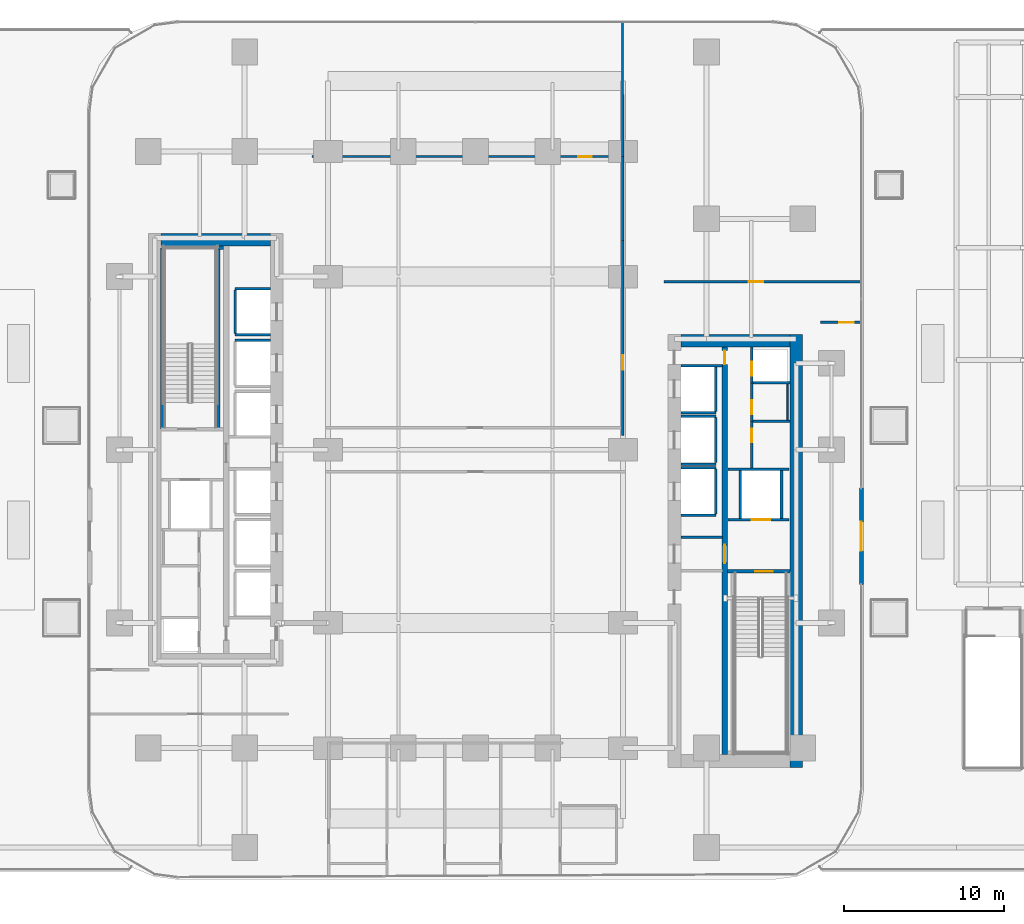
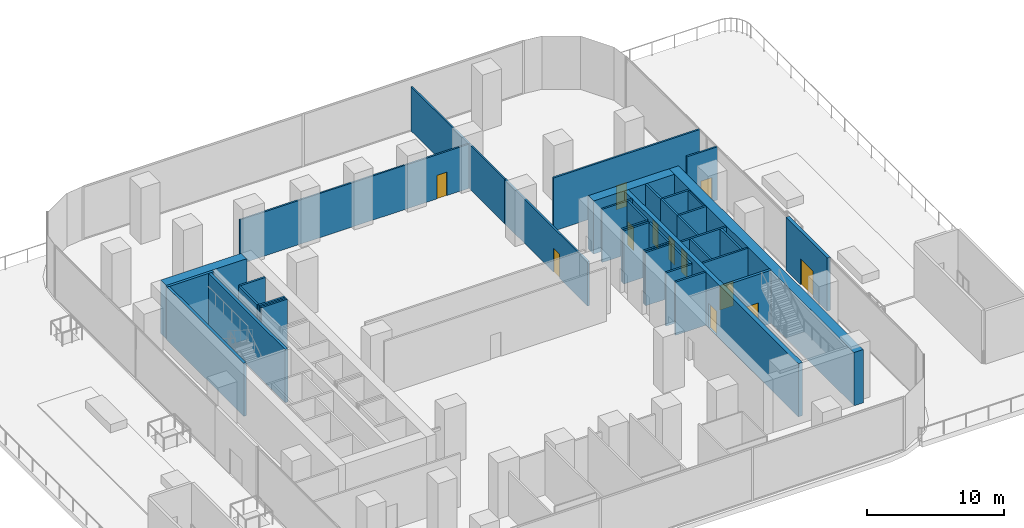
# One storey, part 8 of 21: 39 walls, 12 doors, 12 openings.
"""IFC4 building model written with IfcOpenShell, lengths in metres."""

from ifc_helpers import new_model, si_unit, direction, frame, frame_2d, origin, place, context, subcontext, project, spatial, rectangle, extrude, material, layer, layer_set, type_object, element, fill, save


model = new_model("IFC4")

# Units and contexts
model_context = context("Model", 3, precision=1e-05, world=origin(), true_north=direction((0.0, 1.0)))
body_context = subcontext(model_context, "Body", "Model", "MODEL_VIEW")
ifc_project = project(units=[si_unit("LENGTHUNIT", "METRE"), si_unit("AREAUNIT", "SQUARE_METRE"), si_unit("VOLUMEUNIT", "CUBIC_METRE"), si_unit("PLANEANGLEUNIT", "RADIAN"), si_unit("MASSUNIT", "GRAM", prefix="KILO")], contexts=[model_context])

# Site, building, storey
site_placement = place(None, origin())
site = spatial("IfcSite", under=ifc_project, at=site_placement, CompositionType="ELEMENT")
building_placement = place(site_placement, origin())
building = spatial("IfcBuilding", under=site, at=building_placement, Name="Khairoan Windgate Tower", CompositionType="ELEMENT")
storey_placement = place(building_placement, frame((0.0, 0.0, 21.0)))
storey = spatial("IfcBuildingStorey", under=building, at=storey_placement, Name="L05", CompositionType="ELEMENT", Elevation=21.0)

# Walls
ifc_material_1 = material(Name="Moisture-Resistant Gypsum Partition", Category="gypsum")
ifc_layer_1 = layer(ifc_material_1, 0.10009765625, Name="Moisture-Resistant Gypsum Partition")
ifc_layer_set_1 = layer_set([ifc_layer_1], Name="Moisture-Resistant Gypsum Partition")
wall_type_1 = type_object("IfcWallType", Name="Bathroom Wet-Area Partition Wall", PredefinedType="PARTITIONING", material=ifc_layer_set_1)
wall_1_placement = place(storey_placement, frame((19.449951171875, 4.090087890625, 0.0), z_axis=(0.0, 0.0, 1.0), x_axis=(0.0, -1.0, 0.0)))
element("IfcWall", 1, at=wall_1_placement, inside=storey, type_object=wall_type_1, Name="L05 Wet Room Side Wall 031", PredefinedType="PARTITIONING", context=body_context, shape_type="SweptSolid", body=[
    extrude(rectangle(XDim=2.239990234375, YDim=0.10009765625, at=frame_2d((1.1201171875, 0.0))), origin(), (0.0, 0.0, 1.0), 4.739990234375),
])
ifc_material_2 = material(Name="Concrete C40/50", Category="concrete")
ifc_layer_2 = layer(ifc_material_2, 0.159912109375, Name="Concrete C40/50")
ifc_layer_set_2 = layer_set([ifc_layer_2], Name="Concrete C40/50")
wall_type_2 = type_object("IfcWallType", Name="Core and Hoistway Enclosure Wall", PredefinedType="STANDARD", material=ifc_layer_set_2)
for number, where, z_axis, x_axis, name in (
    (2, (-14.989990234375, 7.159912109375, 0.0), (0.0, 0.0, 1.0), (1.0, 0.0, 0.0), "L05 Lift PL1 Hoistway Divider S"),
    (3, (-14.989990234375, 10.0400390625, 0.0), (0.0, 0.0, 1.0), (1.0, 0.0, 0.0), "L05 Lift PL1 Hoistway Divider N"),
):
    element("IfcWall", number, at=place(storey_placement, frame(where, z_axis=z_axis, x_axis=x_axis)), inside=storey, type_object=wall_type_2, Name=name, PredefinedType="STANDARD", context=body_context, shape_type="SweptSolid", body=[
        extrude(rectangle(XDim=2.18994140625, YDim=0.159912109375, at=frame_2d((1.094970703125, 0.0))), origin(), (0.0, 0.0, 1.0), 4.739990234375),
    ])
wall_2_placement = place(storey_placement, frame((-14.989990234375, 7.25, 0.0), z_axis=(0.0, 0.0, 1.0), x_axis=(0.0, 1.0, 0.0)))
element("IfcWall", 4, at=wall_2_placement, inside=storey, type_object=wall_type_2, Name="L05 Lift PL1 Hoistway Back Wall", PredefinedType="STANDARD", context=body_context, shape_type="SweptSolid", body=[
    extrude(rectangle(XDim=2.699951171875, YDim=0.159912109375, at=frame_2d((1.35009765625, 0.0))), origin(), (0.0, 0.0, 1.0), 4.739990234375),
])
for number, where, z_axis, x_axis, name in (
    (5, (-14.989990234375, 6.840087890625, 0.0), (0.0, 0.0, 1.0), (1.0, 0.0, 0.0), "L05 Lift PL2 Hoistway Divider N"),
    (6, (12.800048828125, 2.31005859375, 0.0), (0.0, 0.0, 1.0), (1.0, 0.0, 0.0), "L05 Lift PL7 Hoistway Divider S"),
):
    element("IfcWall", number, at=place(storey_placement, frame(where, z_axis=z_axis, x_axis=x_axis)), inside=storey, type_object=wall_type_2, Name=name, PredefinedType="STANDARD", context=body_context, shape_type="SweptSolid", body=[
        extrude(rectangle(XDim=2.18994140625, YDim=0.159912109375, at=frame_2d((1.094970703125, 0.0))), origin(), (0.0, 0.0, 1.0), 4.739990234375),
    ])
wall_3_placement = place(storey_placement, frame((14.989990234375, 2.39990234375, 0.0), z_axis=(0.0, 0.0, 1.0), x_axis=(0.0, 1.0, 0.0)))
element("IfcWall", 7, at=wall_3_placement, inside=storey, type_object=wall_type_2, Name="L05 Lift PL7 Hoistway Back Wall", PredefinedType="STANDARD", context=body_context, shape_type="SweptSolid", body=[
    extrude(rectangle(XDim=2.800048828125, YDim=0.159912109375, at=frame_2d((1.39990234375, 0.0))), origin(), (0.0, 0.0, 1.0), 4.739990234375),
])
for number, where, z_axis, x_axis, name in (
    (8, (12.800048828125, -0.889892578125, 0.0), (0.0, 0.0, 1.0), (1.0, 0.0, 0.0), "L05 Lift PL8 Hoistway Divider S"),
    (9, (12.800048828125, 2.090087890625, 0.0), (0.0, 0.0, 1.0), (1.0, 0.0, 0.0), "L05 Lift PL8 Hoistway Divider N"),
):
    element("IfcWall", number, at=place(storey_placement, frame(where, z_axis=z_axis, x_axis=x_axis)), inside=storey, type_object=wall_type_2, Name=name, PredefinedType="STANDARD", context=body_context, shape_type="SweptSolid", body=[
        extrude(rectangle(XDim=2.18994140625, YDim=0.159912109375, at=frame_2d((1.094970703125, 0.0))), origin(), (0.0, 0.0, 1.0), 4.739990234375),
    ])
wall_4_placement = place(storey_placement, frame((14.989990234375, -0.800048828125, 0.0), z_axis=(0.0, 0.0, 1.0), x_axis=(0.0, 1.0, 0.0)))
element("IfcWall", 10, at=wall_4_placement, inside=storey, type_object=wall_type_2, Name="L05 Lift PL8 Hoistway Back Wall", PredefinedType="STANDARD", context=body_context, shape_type="SweptSolid", body=[
    extrude(rectangle(XDim=2.800048828125, YDim=0.159912109375, at=frame_2d((1.39990234375, 0.0))), origin(), (0.0, 0.0, 1.0), 4.739990234375),
])
for number, where, z_axis, x_axis, name in (
    (11, (12.800048828125, -4.090087890625, 0.0), (0.0, 0.0, 1.0), (1.0, 0.0, 0.0), "L05 Lift PL9 Hoistway Divider S"),
    (12, (12.800048828125, -1.110107421875, 0.0), (0.0, 0.0, 1.0), (1.0, 0.0, 0.0), "L05 Lift PL9 Hoistway Divider N"),
):
    element("IfcWall", number, at=place(storey_placement, frame(where, z_axis=z_axis, x_axis=x_axis)), inside=storey, type_object=wall_type_2, Name=name, PredefinedType="STANDARD", context=body_context, shape_type="SweptSolid", body=[
        extrude(rectangle(XDim=2.18994140625, YDim=0.159912109375, at=frame_2d((1.094970703125, 0.0))), origin(), (0.0, 0.0, 1.0), 4.739990234375),
    ])
wall_5_placement = place(storey_placement, frame((14.989990234375, -4.0, 0.0), z_axis=(0.0, 0.0, 1.0), x_axis=(0.0, 1.0, 0.0)))
element("IfcWall", 13, at=wall_5_placement, inside=storey, type_object=wall_type_2, Name="L05 Lift PL9 Hoistway Back Wall", PredefinedType="STANDARD", context=body_context, shape_type="SweptSolid", body=[
    extrude(rectangle(XDim=2.800048828125, YDim=0.159912109375, at=frame_2d((1.39990234375, 0.0))), origin(), (0.0, 0.0, 1.0), 4.739990234375),
])

# Wall, opening, door
wall_6_placement = place(storey_placement, frame((15.75, -4.360107421875, 0.0), z_axis=(0.0, 0.0, 1.0), x_axis=(1.0, 0.0, 0.0)))
wall_6 = element("IfcWall", 14, at=wall_6_placement, inside=storey, type_object=wall_type_2, Name="L05 Core Shaft Wall SW-FL1-L05", PredefinedType="STANDARD", context=body_context, shape_type="SweptSolid", body=[
    extrude(rectangle(XDim=3.800048828125, YDim=0.159912109375, at=frame_2d((1.89990234375, 0.0))), origin(), (0.0, 0.0, 1.0), 4.739990234375),
])
opening_1_placement = place(wall_6_placement, frame((1.469970703125, 0.0, 0.0)))
opening_1 = element("IfcOpeningElement", 15, at=opening_1_placement, cuts=wall_6, Name="Opening LD-FL", PredefinedType="OPENING", context=body_context, shape_type="SweptSolid", body=[
    extrude(rectangle(XDim=1.14990234375, YDim=2.199951171875, at=frame_2d((0.574951171875, 1.10009765625))), frame((0.0, 0.08984375, 0.0), z_axis=(0.0, -1.0, 0.0), x_axis=(1.0, 0.0, 0.0)), (0.0, 0.0, 1.0), 0.179931640625),
])
ifc_material_3 = material(Name="Steel S355", Category="steel")
door_type_1 = type_object("IfcDoorType", Name="Firefighting Lift Sliding Landing Door LD-FL 1150x2200", OperationType="DOUBLE_DOOR_SLIDING", PredefinedType="DOOR", material=ifc_material_3)
door_1_placement = place(opening_1_placement, origin())
door_1 = element("IfcDoor", 16, at=door_1_placement, inside=storey, type_object=door_type_1, Name="L05 Firefighting Lift FL1 Landing Door", OperationType="DOUBLE_DOOR_SLIDING", OverallHeight=2.199951171875, OverallWidth=1.14990234375, PredefinedType="DOOR", context=body_context, shape_type="SweptSolid", body=[
    extrude(rectangle(XDim=1.14990234375, YDim=2.199951171875, at=frame_2d((0.574951171875, 1.10009765625))), frame((0.0, 0.02490234375, 0.0), z_axis=(0.0, -1.0, 0.0), x_axis=(1.0, 0.0, 0.0)), (0.0, 0.0, 1.0), 0.050048828125),
])
fill(opening_1, door_1)

# Walls
wall_7_placement = place(storey_placement, frame((15.75, -1.219970703125, 0.0), z_axis=(0.0, 0.0, 1.0), x_axis=(1.0, 0.0, 0.0)))
element("IfcWall", 17, at=wall_7_placement, inside=storey, type_object=wall_type_2, Name="L05 Core Shaft Wall SW-FL1T-L05", PredefinedType="STANDARD", context=body_context, shape_type="SweptSolid", body=[
    extrude(rectangle(XDim=3.800048828125, YDim=0.159912109375, at=frame_2d((1.89990234375, 0.0))), origin(), (0.0, 0.0, 1.0), 4.739990234375),
])
for number, where, z_axis, x_axis, name in (
    (18, (16.52001953125, -4.280029296875, 0.0), (0.0, 0.0, 1.0), (0.0, 1.0, 0.0), "L05 Core Shaft Wall SW-FL1W-L05"),
    (19, (19.080078125, -4.280029296875, 0.0), (0.0, 0.0, 1.0), (0.0, 1.0, 0.0), "L05 Core Shaft Wall SW-FL1E-L05"),
):
    element("IfcWall", number, at=place(storey_placement, frame(where, z_axis=z_axis, x_axis=x_axis)), inside=storey, type_object=wall_type_2, Name=name, PredefinedType="STANDARD", context=body_context, shape_type="SweptSolid", body=[
        extrude(rectangle(XDim=2.97998046875, YDim=0.159912109375, at=frame_2d((1.489990234375, 0.0))), origin(), (0.0, 0.0, 1.0), 4.739990234375),
    ])
for number, where, z_axis, x_axis, name in (
    (20, (12.800048828125, -5.449951171875, 0.0), (0.0, 0.0, 1.0), (1.0, 0.0, 0.0), "L05 Core Shaft Wall SW-EV1-L05"),
    (21, (12.800048828125, 5.25, 0.0), (0.0, 0.0, 1.0), (1.0, 0.0, 0.0), "L05 Core Shaft Wall SW-ESV-L05"),
):
    element("IfcWall", number, at=place(storey_placement, frame(where, z_axis=z_axis, x_axis=x_axis)), inside=storey, type_object=wall_type_2, Name=name, PredefinedType="STANDARD", context=body_context, shape_type="SweptSolid", body=[
        extrude(rectangle(XDim=2.599853515625, YDim=0.159912109375, at=frame_2d((1.2998046875, 0.0))), origin(), (0.0, 0.0, 1.0), 4.739990234375),
    ])

# Wall, opening, door
ifc_material_4 = material(Name="Precast Concrete C40/50", Category="concrete")
ifc_layer_3 = layer(ifc_material_4, 0.260009765625, Name="Precast Concrete C40/50")
ifc_layer_set_3 = layer_set([ifc_layer_3], Name="Precast Concrete C40/50")
wall_type_3 = type_object("IfcWallType", Name="Insulated Tower Facade Wall EW2 260mm", PredefinedType="STANDARD", material=ifc_layer_set_3)
wall_8_placement = place(storey_placement, frame((24.06005859375, -2.39990234375, 0.0), z_axis=(0.0, 0.0, 1.0), x_axis=(0.0, -1.0, 0.0)))
wall_8 = element("IfcWall", 22, at=wall_8_placement, inside=storey, type_object=wall_type_3, Name="L05 East Terrace Access Wall", PredefinedType="STANDARD", context=body_context, shape_type="SweptSolid", body=[
    extrude(rectangle(XDim=6.0, YDim=0.260009765625, at=frame_2d((3.0, 0.0))), origin(), (0.0, 0.0, 1.0), 4.739990234375),
])
opening_2_placement = place(wall_8_placement, frame((2.10009765625, 0.0, 0.0)))
opening_2 = element("IfcOpeningElement", 23, at=opening_2_placement, cuts=wall_8, Name="Opening TD1", PredefinedType="OPENING", context=body_context, shape_type="SweptSolid", body=[
    extrude(rectangle(XDim=1.800048828125, YDim=2.300048828125, at=frame_2d((0.89990234375, 1.14990234375))), frame((0.0, 0.139892578125, 0.0), z_axis=(0.0, -1.0, 0.0), x_axis=(1.0, 0.0, 0.0)), (0.0, 0.0, 1.0), 0.280029296875),
])
ifc_material_5 = material(Name="Anodised Bronze Aluminium 6063-T6", Category="aluminium")
door_type_2 = type_object("IfcDoorType", Name="Glazed Double Terrace Door TD-1800", OperationType="DOUBLE_DOOR_SINGLE_SWING", PredefinedType="DOOR", material=ifc_material_5)
door_2_placement = place(opening_2_placement, origin())
door_2 = element("IfcDoor", 24, at=door_2_placement, inside=storey, type_object=door_type_2, Name="East Podium Roof Terrace Door TD-02", OperationType="DOUBLE_DOOR_SINGLE_SWING", OverallHeight=2.300048828125, OverallWidth=1.800048828125, PredefinedType="DOOR", context=body_context, shape_type="SweptSolid", body=[
    extrude(rectangle(XDim=1.800048828125, YDim=2.300048828125, at=frame_2d((0.89990234375, 1.14990234375))), frame((0.0, 0.02490234375, 0.0), z_axis=(0.0, -1.0, 0.0), x_axis=(1.0, 0.0, 0.0)), (0.0, 0.0, 1.0), 0.050048828125),
])
fill(opening_2, door_2)

# Walls
ifc_material_6 = material(Name="Acoustic Fire-Rated Gypsum Partition", Category="gypsum")
ifc_layer_4 = layer(ifc_material_6, 0.139892578125, Name="Acoustic Fire-Rated Gypsum Partition")
ifc_layer_set_4 = layer_set([ifc_layer_4], Name="Acoustic Fire-Rated Gypsum Partition")
wall_type_4 = type_object("IfcWallType", Name="Inter-Tenancy Compartment Wall", PredefinedType="PARTITIONING", material=ifc_layer_set_4)
wall_9_placement = place(storey_placement, frame((9.185791015625, 13.0400390625, 0.0), z_axis=(0.0, 0.0, 1.0), x_axis=(0.0, 1.0, 0.0)))
element("IfcWall", 25, at=wall_9_placement, inside=storey, type_object=wall_type_4, Name="L05 Interior Partition 018", PredefinedType="PARTITIONING", context=body_context, shape_type="SweptSolid", body=[
    extrude(rectangle(XDim=5.239990234375, YDim=0.139892578125, at=frame_2d((2.6201171875, 0.0))), origin(), (0.0, 0.0, 1.0), 3.93994140625),
])
wall_10_placement = place(storey_placement, frame((9.185791015625, 18.280029296875, 0.0), z_axis=(0.0, 0.0, 1.0), x_axis=(-0.003090003905, 0.999995225927, 0.0)))
element("IfcWall", 26, at=wall_10_placement, inside=storey, type_object=wall_type_4, Name="L05 Interior Partition 019", PredefinedType="PARTITIONING", context=body_context, shape_type="SweptSolid", body=[
    extrude(rectangle(XDim=8.375, YDim=0.139892578125, at=frame_2d((4.1875, 0.0))), origin(), (0.0, 0.0, 1.0), 3.93994140625),
])

# Wall, opening, door
wall_11_placement = place(storey_placement, frame((-10.18994140625, 18.280029296875, 0.0), z_axis=(0.0, 0.0, 1.0), x_axis=(1.0, 0.0, 0.0)))
wall_11 = element("IfcWall", 27, at=wall_11_placement, inside=storey, type_object=wall_type_4, Name="L05 Interior Partition 021", PredefinedType="PARTITIONING", context=body_context, shape_type="SweptSolid", body=[
    extrude(rectangle(XDim=19.305908203125, YDim=0.139892578125, at=frame_2d((9.65283203125, 0.0))), origin(), (0.0, 0.0, 1.0), 3.93994140625),
])
opening_3_placement = place(wall_11_placement, frame((16.5849609375, 0.0, 0.0)))
opening_3 = element("IfcOpeningElement", 28, at=opening_3_placement, cuts=wall_11, Name="Opening FD-SRV", PredefinedType="OPENING", context=body_context, shape_type="SweptSolid", body=[
    extrude(rectangle(XDim=0.85009765625, YDim=2.10009765625, at=frame_2d((0.425048828125, 1.050048828125))), frame((0.0, 0.079833984375, 0.0), z_axis=(0.0, -1.0, 0.0), x_axis=(1.0, 0.0, 0.0)), (0.0, 0.0, 1.0), 0.159912109375),
])
ifc_material_7 = material(Name="Steel S355", Category="steel")
door_type_3 = type_object("IfcDoorType", Name="Core Service and Riser Fire Door FD-SRV 850x2100", OperationType="NOTDEFINED", PredefinedType="DOOR", material=ifc_material_7)
door_3_placement = place(opening_3_placement, origin())
door_3 = element("IfcDoor", 29, at=door_3_placement, inside=storey, type_object=door_type_3, Name="L05 L05-38-L05-39 Door", OperationType="SINGLE_SWING_RIGHT", OverallHeight=2.10009765625, OverallWidth=0.85009765625, PredefinedType="DOOR", context=body_context, shape_type="SweptSolid", body=[
    extrude(rectangle(XDim=0.85009765625, YDim=2.10009765625, at=frame_2d((0.425048828125, 1.050048828125))), frame((0.0, 0.02490234375, 0.0), z_axis=(0.0, -1.0, 0.0), x_axis=(1.0, 0.0, 0.0)), (0.0, 0.0, 1.0), 0.050048828125),
])
fill(opening_3, door_3)

ifc_material_8 = material(Name="Concrete C40/50", Category="concrete")
ifc_layer_5 = layer(ifc_material_8, 0.159912109375, Name="Concrete C40/50")
ifc_layer_set_5 = layer_set([ifc_layer_5], Name="Concrete C40/50")
wall_type_5 = type_object("IfcWallType", Name="Plant and Refuge Compartment Wall", PredefinedType="PARTITIONING", material=ifc_layer_set_5)
wall_12_placement = place(storey_placement, frame((17.22998046875, 4.169921875, 0.0), z_axis=(0.0, 0.0, 1.0), x_axis=(0.0, 1.0, 0.0)))
wall_12 = element("IfcWall", 30, at=wall_12_placement, inside=storey, type_object=wall_type_5, Name="L05 Interior Partition 006", PredefinedType="PARTITIONING", context=body_context, shape_type="SweptSolid", body=[
    extrude(rectangle(XDim=2.22998046875, YDim=0.159912109375, at=frame_2d((1.114990234375, 0.0))), origin(), (0.0, 0.0, 1.0), 4.739990234375),
])
opening_4_placement = place(wall_12_placement, frame((0.4599609375, 0.0, 0.0)))
opening_4 = element("IfcOpeningElement", 31, at=opening_4_placement, cuts=wall_12, Name="Opening FD-SRV", PredefinedType="OPENING", context=body_context, shape_type="SweptSolid", body=[
    extrude(rectangle(XDim=0.85009765625, YDim=2.10009765625, at=frame_2d((0.425048828125, 1.050048828125))), frame((0.0, 0.08984375, 0.0), z_axis=(0.0, -1.0, 0.0), x_axis=(1.0, 0.0, 0.0)), (0.0, 0.0, 1.0), 0.179931640625),
])
door_4_placement = place(opening_4_placement, origin())
door_4 = element("IfcDoor", 32, at=door_4_placement, inside=storey, type_object=door_type_3, Name="L05 L05-19-L05-20 Door", OperationType="SINGLE_SWING_RIGHT", OverallHeight=2.10009765625, OverallWidth=0.85009765625, PredefinedType="DOOR", context=body_context, shape_type="SweptSolid", body=[
    extrude(rectangle(XDim=0.85009765625, YDim=2.10009765625, at=frame_2d((0.425048828125, 1.050048828125))), frame((0.0, 0.02490234375, 0.0), z_axis=(0.0, -1.0, 0.0), x_axis=(1.0, 0.0, 0.0)), (0.0, 0.0, 1.0), 0.050048828125),
])
fill(opening_4, door_4)

wall_13_placement = place(storey_placement, frame((17.22998046875, 1.77001953125, 0.0), z_axis=(0.0, 0.0, 1.0), x_axis=(0.0, 1.0, 0.0)))
wall_13 = element("IfcWall", 33, at=wall_13_placement, inside=storey, type_object=wall_type_5, Name="L05 Interior Partition 007", PredefinedType="PARTITIONING", context=body_context, shape_type="SweptSolid", body=[
    extrude(rectangle(XDim=2.39990234375, YDim=0.159912109375, at=frame_2d((1.199951171875, 0.0))), origin(), (0.0, 0.0, 1.0), 4.739990234375),
])
opening_5_placement = place(wall_13_placement, frame((0.4599609375, 0.0, 0.0)))
opening_5 = element("IfcOpeningElement", 34, at=opening_5_placement, cuts=wall_13, Name="Opening FD-SRV", PredefinedType="OPENING", context=body_context, shape_type="SweptSolid", body=[
    extrude(rectangle(XDim=0.85009765625, YDim=2.10009765625, at=frame_2d((0.425048828125, 1.050048828125))), frame((0.0, 0.08984375, 0.0), z_axis=(0.0, -1.0, 0.0), x_axis=(1.0, 0.0, 0.0)), (0.0, 0.0, 1.0), 0.179931640625),
])
door_5_placement = place(opening_5_placement, origin())
door_5 = element("IfcDoor", 35, at=door_5_placement, inside=storey, type_object=door_type_3, Name="L05 L05-19-L05-21 Door", OperationType="SINGLE_SWING_LEFT", OverallHeight=2.10009765625, OverallWidth=0.85009765625, PredefinedType="DOOR", context=body_context, shape_type="SweptSolid", body=[
    extrude(rectangle(XDim=0.85009765625, YDim=2.10009765625, at=frame_2d((0.425048828125, 1.050048828125))), frame((0.0, 0.02490234375, 0.0), z_axis=(0.0, -1.0, 0.0), x_axis=(1.0, 0.0, 0.0)), (0.0, 0.0, 1.0), 0.050048828125),
])
fill(opening_5, door_5)

wall_14_placement = place(storey_placement, frame((17.22998046875, -1.139892578125, 0.0), z_axis=(0.0, 0.0, 1.0), x_axis=(0.0, 1.0, 0.0)))
wall_14 = element("IfcWall", 36, at=wall_14_placement, inside=storey, type_object=wall_type_5, Name="L05 Interior Partition 008", PredefinedType="PARTITIONING", context=body_context, shape_type="SweptSolid", body=[
    extrude(rectangle(XDim=2.909912109375, YDim=0.159912109375, at=frame_2d((1.455078125, 0.0))), origin(), (0.0, 0.0, 1.0), 4.739990234375),
])
opening_6_placement = place(wall_14_placement, frame((1.60009765625, 0.0, 0.0)))
opening_6 = element("IfcOpeningElement", 37, at=opening_6_placement, cuts=wall_14, Name="Opening FD-SRV", PredefinedType="OPENING", context=body_context, shape_type="SweptSolid", body=[
    extrude(rectangle(XDim=0.85009765625, YDim=2.10009765625, at=frame_2d((0.425048828125, 1.050048828125))), frame((0.0, 0.08984375, 0.0), z_axis=(0.0, -1.0, 0.0), x_axis=(1.0, 0.0, 0.0)), (0.0, 0.0, 1.0), 0.179931640625),
])
door_6_placement = place(opening_6_placement, origin())
door_6 = element("IfcDoor", 38, at=door_6_placement, inside=storey, type_object=door_type_3, Name="L05 L05-19-L05-22 Door", OperationType="SINGLE_SWING_RIGHT", OverallHeight=2.10009765625, OverallWidth=0.85009765625, PredefinedType="DOOR", context=body_context, shape_type="SweptSolid", body=[
    extrude(rectangle(XDim=0.85009765625, YDim=2.10009765625, at=frame_2d((0.425048828125, 1.050048828125))), frame((0.0, 0.02490234375, 0.0), z_axis=(0.0, -1.0, 0.0), x_axis=(1.0, 0.0, 0.0)), (0.0, 0.0, 1.0), 0.050048828125),
])
fill(opening_6, door_6)

# Walls
for number, where, z_axis, x_axis, name in (
    (39, (17.31005859375, 4.169921875, 0.0), (0.0, 0.0, 1.0), (1.0, 0.0, 0.0), "L05 Interior Partition 009"),
    (40, (17.31005859375, 1.77001953125, 0.0), (0.0, 0.0, 1.0), (1.0, 0.0, 0.0), "L05 Interior Partition 010"),
):
    element("IfcWall", number, at=place(storey_placement, frame(where, z_axis=z_axis, x_axis=x_axis)), inside=storey, type_object=wall_type_5, Name=name, PredefinedType="PARTITIONING", context=body_context, shape_type="SweptSolid", body=[
        extrude(rectangle(XDim=2.2900390625, YDim=0.159912109375, at=frame_2d((1.14501953125, 0.0))), origin(), (0.0, 0.0, 1.0), 4.739990234375),
    ])

# Wall, opening, door
ifc_material_9 = material(Name="Acoustic Fire-Rated Gypsum Partition", Category="gypsum")
ifc_layer_6 = layer(ifc_material_9, 0.14990234375, Name="Acoustic Fire-Rated Gypsum Partition")
ifc_layer_set_6 = layer_set([ifc_layer_6], Name="Acoustic Fire-Rated Gypsum Partition")
wall_type_6 = type_object("IfcWallType", Name="Rated Corridor Partition Wall", PredefinedType="PARTITIONING", material=ifc_layer_set_6)
wall_15_placement = place(storey_placement, frame((9.185791015625, 0.8994140625, 0.0), z_axis=(0.0, 0.0, 1.0), x_axis=(0.0, 1.0, 0.0)))
wall_15 = element("IfcWall", 41, at=wall_15_placement, inside=storey, type_object=wall_type_6, Name="L05 Interior Partition 011", PredefinedType="PARTITIONING", context=body_context, shape_type="SweptSolid", body=[
    extrude(rectangle(XDim=12.140625, YDim=0.14990234375, at=frame_2d((6.0703125, 0.0))), origin(), (0.0, 0.0, 1.0), 3.93994140625),
])
opening_7_placement = place(wall_15_placement, frame((4.103271484375, 0.0, 0.0)))
opening_7 = element("IfcOpeningElement", 42, at=opening_7_placement, cuts=wall_15, Name="Opening FD-ENT", PredefinedType="OPENING", context=body_context, shape_type="SweptSolid", body=[
    extrude(rectangle(XDim=0.89990234375, YDim=2.14990234375, at=frame_2d((0.449951171875, 1.074951171875))), frame((0.0, 0.0849609375, 0.0), z_axis=(0.0, -1.0, 0.0), x_axis=(1.0, 0.0, 0.0)), (0.0, 0.0, 1.0), 0.169921875),
])
ifc_material_10 = material(Name="Timber Fire-Rated Core", Category="wood")
door_type_4 = type_object("IfcDoorType", Name="Unit and Office Fire Entrance Door FD-ENT 900x2150", OperationType="NOTDEFINED", PredefinedType="DOOR", material=ifc_material_10)
door_7_placement = place(opening_7_placement, origin())
door_7 = element("IfcDoor", 43, at=door_7_placement, inside=storey, type_object=door_type_4, Name="L05 L05-30-L05-38 Door", OperationType="SINGLE_SWING_LEFT", OverallHeight=2.14990234375, OverallWidth=0.89990234375, PredefinedType="DOOR", context=body_context, shape_type="SweptSolid", body=[
    extrude(rectangle(XDim=0.89990234375, YDim=2.14990234375, at=frame_2d((0.449951171875, 1.074951171875))), frame((0.0, 0.02490234375, 0.0), z_axis=(0.0, -1.0, 0.0), x_axis=(1.0, 0.0, 0.0)), (0.0, 0.0, 1.0), 0.050048828125),
])
fill(opening_7, door_7)

wall_16_placement = place(storey_placement, frame((21.510009765625, 7.93994140625, 0.0), z_axis=(0.0, 0.0, 1.0), x_axis=(1.0, 0.0, 0.0)))
wall_16 = element("IfcWall", 44, at=wall_16_placement, inside=storey, type_object=wall_type_6, Name="L05 Interior Partition 016", PredefinedType="PARTITIONING", context=body_context, shape_type="SweptSolid", body=[
    extrude(rectangle(XDim=2.544921875, YDim=0.14990234375, at=frame_2d((1.2724609375, 0.0))), origin(), (0.0, 0.0, 1.0), 4.739990234375),
])
opening_8_placement = place(wall_16_placement, frame((1.18505859375, 0.0, 0.0)))
opening_8 = element("IfcOpeningElement", 45, at=opening_8_placement, cuts=wall_16, Name="Opening FD-ENT", PredefinedType="OPENING", context=body_context, shape_type="SweptSolid", body=[
    extrude(rectangle(XDim=0.89990234375, YDim=2.14990234375, at=frame_2d((0.449951171875, 1.074951171875))), frame((0.0, 0.0849609375, 0.0), z_axis=(0.0, -1.0, 0.0), x_axis=(1.0, 0.0, 0.0)), (0.0, 0.0, 1.0), 0.169921875),
])
door_8_placement = place(opening_8_placement, origin())
door_8 = element("IfcDoor", 46, at=door_8_placement, inside=storey, type_object=door_type_4, Name="L05 L05-33-L05-35 Door", OperationType="SINGLE_SWING_RIGHT", OverallHeight=2.14990234375, OverallWidth=0.89990234375, PredefinedType="DOOR", context=body_context, shape_type="SweptSolid", body=[
    extrude(rectangle(XDim=0.89990234375, YDim=2.14990234375, at=frame_2d((0.449951171875, 1.074951171875))), frame((0.0, 0.02490234375, 0.0), z_axis=(0.0, -1.0, 0.0), x_axis=(1.0, 0.0, 0.0)), (0.0, 0.0, 1.0), 0.050048828125),
])
fill(opening_8, door_8)

wall_17_placement = place(storey_placement, frame((11.739990234375, 10.47998046875, 0.0), z_axis=(0.0, 0.0, 1.0), x_axis=(1.0, 0.0, 0.0)))
wall_17 = element("IfcWall", 47, at=wall_17_placement, inside=storey, type_object=wall_type_6, Name="L05 Interior Partition 017", PredefinedType="PARTITIONING", context=body_context, shape_type="SweptSolid", body=[
    extrude(rectangle(XDim=12.31494140625, YDim=0.14990234375, at=frame_2d((6.157470703125, 0.0))), origin(), (0.0, 0.0, 1.0), 4.739990234375),
])
opening_9_placement = place(wall_17_placement, frame((5.3037109375, 0.0, 0.0)))
opening_9 = element("IfcOpeningElement", 48, at=opening_9_placement, cuts=wall_17, Name="Opening FD-ENT", PredefinedType="OPENING", context=body_context, shape_type="SweptSolid", body=[
    extrude(rectangle(XDim=0.89990234375, YDim=2.14990234375, at=frame_2d((0.449951171875, 1.074951171875))), frame((0.0, 0.0849609375, 0.0), z_axis=(0.0, -1.0, 0.0), x_axis=(1.0, 0.0, 0.0)), (0.0, 0.0, 1.0), 0.169921875),
])
door_9_placement = place(opening_9_placement, origin())
door_9 = element("IfcDoor", 49, at=door_9_placement, inside=storey, type_object=door_type_4, Name="L05 L05-33-L05-36 Door", OperationType="SINGLE_SWING_LEFT", OverallHeight=2.14990234375, OverallWidth=0.89990234375, PredefinedType="DOOR", context=body_context, shape_type="SweptSolid", body=[
    extrude(rectangle(XDim=0.89990234375, YDim=2.14990234375, at=frame_2d((0.449951171875, 1.074951171875))), frame((0.0, 0.02490234375, 0.0), z_axis=(0.0, -1.0, 0.0), x_axis=(1.0, 0.0, 0.0)), (0.0, 0.0, 1.0), 0.050048828125),
])
fill(opening_9, door_9)

# Walls
ifc_material_11 = material(Name="Concrete C70/85", Category="concrete")
ifc_layer_7 = layer(ifc_material_11, 0.800048828125, Name="Concrete C70/85")
ifc_layer_set_7 = layer_set([ifc_layer_7], Name="Concrete C70/85")
wall_type_7 = type_object("IfcWallType", Name="Shear Wall CW-E1 800mm", PredefinedType="SHEAR", material=ifc_layer_set_7)
wall_18_placement = place(storey_placement, frame((20.0, -19.800048828125, 0.0), z_axis=(0.0, 0.0, 1.0), x_axis=(0.0, 1.0, 0.0)))
element("IfcWall", 50, at=wall_18_placement, inside=storey, type_object=wall_type_7, Name="E Core East Shear Wall L05", PredefinedType="SHEAR", context=body_context, shape_type="SweptSolid", body=[
    extrude(rectangle(XDim=27.0, YDim=0.800048828125, at=frame_2d((13.5, 0.0))), origin(), (0.0, 0.0, 1.0), 4.739990234375),
])
wall_19_placement = place(storey_placement, frame((12.800048828125, 6.800048828125, 0.0), z_axis=(0.0, 0.0, 1.0), x_axis=(1.0, 0.0, 0.0)))
element("IfcWall", 51, at=wall_19_placement, inside=storey, type_object=wall_type_7, Name="E Core North Shear Wall L05", PredefinedType="SHEAR", context=body_context, shape_type="SweptSolid", body=[
    extrude(rectangle(XDim=6.800048828125, YDim=0.800048828125, at=frame_2d((3.39990234375, 0.0))), origin(), (0.0, 0.0, 1.0), 4.739990234375),
])
ifc_material_12 = material(Name="Concrete C70/85", Category="concrete")
ifc_layer_8 = layer(ifc_material_12, 0.800048828125, Name="Concrete C70/85")
ifc_layer_set_8 = layer_set([ifc_layer_8], Name="Concrete C70/85")
wall_type_8 = type_object("IfcWallType", Name="Shear Wall CW-W1 800mm", PredefinedType="SHEAR", material=ifc_layer_set_8)
wall_20_placement = place(storey_placement, frame((-19.60009765625, 13.10009765625, 0.0), z_axis=(0.0, 0.0, 1.0), x_axis=(1.0, 0.0, 0.0)))
element("IfcWall", 52, at=wall_20_placement, inside=storey, type_object=wall_type_8, Name="W Core North Shear Wall L05", PredefinedType="SHEAR", context=body_context, shape_type="SweptSolid", body=[
    extrude(rectangle(XDim=6.800048828125, YDim=0.800048828125, at=frame_2d((3.39990234375, 0.0))), origin(), (0.0, 0.0, 1.0), 4.739990234375),
])

# Wall, openings, doors
ifc_material_13 = material(Name="Concrete C60/75", Category="concrete")
ifc_layer_9 = layer(ifc_material_13, 0.35009765625, Name="Concrete C60/75")
ifc_layer_set_9 = layer_set([ifc_layer_9], Name="Concrete C60/75")
wall_type_9 = type_object("IfcWallType", Name="Shear Wall SW-1 350mm", PredefinedType="SHEAR", material=ifc_layer_set_9)
wall_21_placement = place(storey_placement, frame((15.550048828125, -19.0, 0.0), z_axis=(0.0, 0.0, 1.0), x_axis=(0.0, 1.0, 0.0)))
wall_21 = element("IfcWall", 53, at=wall_21_placement, inside=storey, type_object=wall_type_9, Name="E Core Spine Shear Wall L05", PredefinedType="SHEAR", context=body_context, shape_type="SweptSolid", body=[
    extrude(rectangle(XDim=25.39990234375, YDim=0.35009765625, at=frame_2d((12.699951171875, 0.0))), origin(), (0.0, 0.0, 1.0), 4.739990234375),
])
opening_10_placement = place(wall_21_placement, frame((11.925048828125, 0.0, 0.0)))
opening_10 = element("IfcOpeningElement", 54, at=opening_10_placement, cuts=wall_21, Name="Opening FD-FFL", PredefinedType="OPENING", context=body_context, shape_type="SweptSolid", body=[
    extrude(rectangle(XDim=1.14990234375, YDim=2.199951171875, at=frame_2d((0.574951171875, 1.10009765625))), frame((0.0, 0.18505859375, 0.0), z_axis=(0.0, -1.0, 0.0), x_axis=(1.0, 0.0, 0.0)), (0.0, 0.0, 1.0), 0.3701171875),
])
opening_11_placement = place(wall_21_placement, frame((24.324951171875, 0.0, 0.0)))
opening_11 = element("IfcOpeningElement", 55, at=opening_11_placement, cuts=wall_21, Name="Opening FD-SRV", PredefinedType="OPENING", context=body_context, shape_type="SweptSolid", body=[
    extrude(rectangle(XDim=0.85009765625, YDim=2.10009765625, at=frame_2d((0.425048828125, 1.050048828125))), frame((0.0, 0.18505859375, 0.0), z_axis=(0.0, -1.0, 0.0), x_axis=(1.0, 0.0, 0.0)), (0.0, 0.0, 1.0), 0.3701171875),
])
door_10_placement = place(opening_11_placement, origin())
door_10 = element("IfcDoor", 56, at=door_10_placement, inside=storey, type_object=door_type_3, Name="L05 East Core Service Passage Inner Door", OperationType="SINGLE_SWING_RIGHT", OverallHeight=2.10009765625, OverallWidth=0.85009765625, PredefinedType="DOOR", context=body_context, shape_type="SweptSolid", body=[
    extrude(rectangle(XDim=0.85009765625, YDim=2.10009765625, at=frame_2d((0.425048828125, 1.050048828125))), frame((0.0, 0.02490234375, 0.0), z_axis=(0.0, -1.0, 0.0), x_axis=(1.0, 0.0, 0.0)), (0.0, 0.0, 1.0), 0.050048828125),
])
fill(opening_11, door_10)
ifc_material_14 = material(Name="Steel S355", Category="steel")
door_type_5 = type_object("IfcDoorType", Name="Firefighting Lobby Fire Door FD-FFL 1150x2200", OperationType="NOTDEFINED", PredefinedType="DOOR", material=ifc_material_14)
door_11_placement = place(opening_10_placement, origin())
door_11 = element("IfcDoor", 57, at=door_11_placement, inside=storey, type_object=door_type_5, Name="L05 East Firefighting Lobby Fire Door", OperationType="SINGLE_SWING_RIGHT", OverallHeight=2.199951171875, OverallWidth=1.14990234375, PredefinedType="DOOR", context=body_context, shape_type="SweptSolid", body=[
    extrude(rectangle(XDim=1.14990234375, YDim=2.199951171875, at=frame_2d((0.574951171875, 1.10009765625))), frame((0.0, 0.02490234375, 0.0), z_axis=(0.0, -1.0, 0.0), x_axis=(1.0, 0.0, 0.0)), (0.0, 0.0, 1.0), 0.050048828125),
])
fill(opening_10, door_11)

# Wall, opening, door
ifc_material_15 = material(Name="Concrete C50/60", Category="concrete")
ifc_layer_10 = layer(ifc_material_15, 0.219970703125, Name="Concrete C50/60")
ifc_layer_set_10 = layer_set([ifc_layer_10], Name="Concrete C50/60")
wall_type_10 = type_object("IfcWallType", Name="Shear Wall SW-ST 220mm", PredefinedType="SHEAR", material=ifc_layer_set_10)
wall_22_placement = place(storey_placement, frame((19.6201171875, -7.590087890625, 0.0), z_axis=(0.0, 0.0, 1.0), x_axis=(-1.0, 0.0, 0.0)))
wall_22 = element("IfcWall", 58, at=wall_22_placement, inside=storey, type_object=wall_type_10, Name="L05 Stair ST1 North Bearing Wall", PredefinedType="SHEAR", context=body_context, shape_type="SweptSolid", body=[
    extrude(rectangle(XDim=3.9150390625, YDim=0.219970703125, at=frame_2d((1.95751953125, 0.0))), origin(), (0.0, 0.0, 1.0), 4.739990234375),
])
opening_12_placement = place(wall_22_placement, frame((1.080078125, 0.0, 0.0)))
opening_12 = element("IfcOpeningElement", 59, at=opening_12_placement, cuts=wall_22, Name="Opening FD-ST", PredefinedType="OPENING", context=body_context, shape_type="SweptSolid", body=[
    extrude(rectangle(XDim=1.10009765625, YDim=2.199951171875, at=frame_2d((0.550048828125, 1.10009765625))), frame((0.0, 0.119873046875, 0.0), z_axis=(0.0, -1.0, 0.0), x_axis=(1.0, 0.0, 0.0)), (0.0, 0.0, 1.0), 0.239990234375),
])
ifc_material_16 = material(Name="Steel S355", Category="steel")
door_type_6 = type_object("IfcDoorType", Name="Smokeproof Stair Fire Door FD-ST 1100x2200", OperationType="NOTDEFINED", PredefinedType="DOOR", material=ifc_material_16)
door_12_placement = place(opening_12_placement, origin())
door_12 = element("IfcDoor", 60, at=door_12_placement, inside=storey, type_object=door_type_6, Name="L05 Stair ST1 Fire Door", OperationType="SINGLE_SWING_RIGHT", OverallHeight=2.199951171875, OverallWidth=1.10009765625, PredefinedType="DOOR", context=body_context, shape_type="SweptSolid", body=[
    extrude(rectangle(XDim=1.10009765625, YDim=2.199951171875, at=frame_2d((0.550048828125, 1.10009765625))), frame((0.0, 0.02490234375, 0.0), z_axis=(0.0, -1.0, 0.0), x_axis=(1.0, 0.0, 0.0)), (0.0, 0.0, 1.0), 0.050048828125),
])
fill(opening_12, door_12)

# Walls
for number, where, z_axis, x_axis, name in (
    (61, (-16.0400390625, 1.2900390625, 0.0), (0.0, 0.0, 1.0), (0.0, 1.0, 0.0), "L05 Stair ST2 East Bearing Wall"),
    (62, (-19.530029296875, 1.2900390625, 0.0), (0.0, 0.0, 1.0), (0.0, 1.0, 0.0), "L05 Stair ST2 West Bearing Wall"),
):
    element("IfcWall", number, at=place(storey_placement, frame(where, z_axis=z_axis, x_axis=x_axis)), inside=storey, type_object=wall_type_10, Name=name, PredefinedType="SHEAR", context=body_context, shape_type="SweptSolid", body=[
        extrude(rectangle(XDim=11.300048828125, YDim=0.219970703125, at=frame_2d((5.64990234375, 0.0))), origin(), (0.0, 0.0, 1.0), 4.739990234375),
    ])
wall_23_placement = place(storey_placement, frame((-19.6201171875, 12.590087890625, 0.0), z_axis=(0.0, 0.0, 1.0), x_axis=(1.0, 0.0, 0.0)))
element("IfcWall", 63, at=wall_23_placement, inside=storey, type_object=wall_type_10, Name="L05 Stair ST2 North Bearing Wall", PredefinedType="SHEAR", context=body_context, shape_type="SweptSolid", body=[
    extrude(rectangle(XDim=3.9150390625, YDim=0.219970703125, at=frame_2d((1.95751953125, 0.0))), origin(), (0.0, 0.0, 1.0), 4.739990234375),
])

save(model, "model.ifc")
